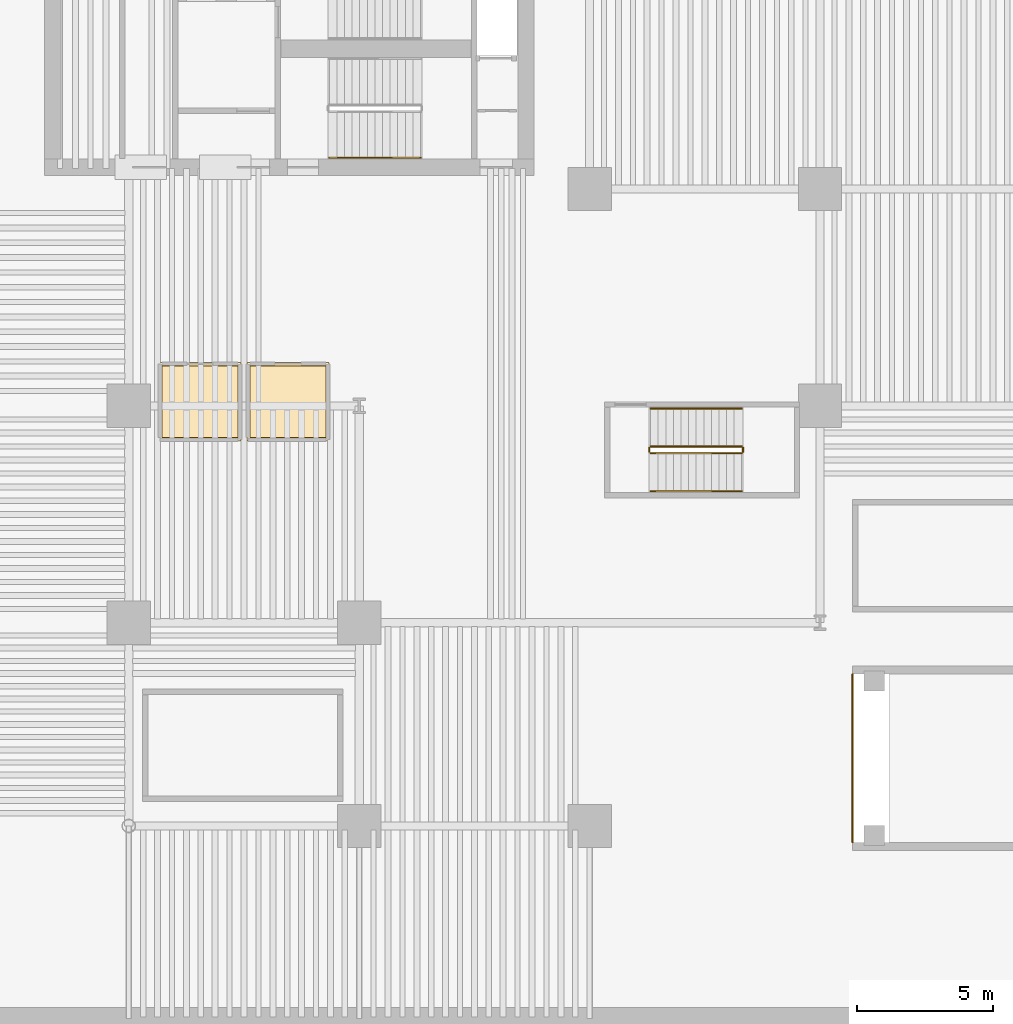
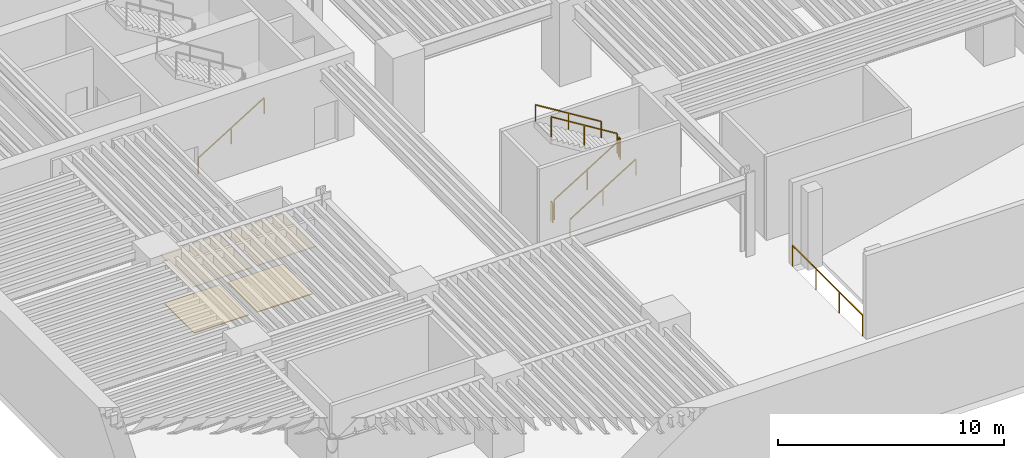
# One storey, part 6 of 9: 8 railings, 4 coverings.
"""IFC4 building model written with IfcOpenShell, lengths in metres."""

from ifc_helpers import new_model, si_unit, direction, frame, origin, origin_2d, place, context, subcontext, project, spatial, polyline, rectangle, outline, extrude, material, layer, layer_set, type_object, element, save


model = new_model("IFC4")

# Units and contexts
model_context = context("Model", 3, precision=1e-05, world=origin(), true_north=direction((0.0, 1.0)))
body_context = subcontext(model_context, "Body", "Model", "MODEL_VIEW")
ifc_project = project(units=[si_unit("LENGTHUNIT", "METRE"), si_unit("AREAUNIT", "SQUARE_METRE"), si_unit("VOLUMEUNIT", "CUBIC_METRE"), si_unit("PLANEANGLEUNIT", "RADIAN"), si_unit("MASSUNIT", "GRAM", prefix="KILO")], contexts=[model_context])

# Site, building, storey
site_placement = place(None, origin())
site = spatial("IfcSite", under=ifc_project, at=site_placement, CompositionType="ELEMENT")
building_placement = place(site_placement, origin())
building = spatial("IfcBuilding", under=site, at=building_placement, Name="Caeloran Harvest Quay", CompositionType="ELEMENT")
storey_placement = place(building_placement, frame((0.0, 0.0, -9.0)))
storey = spatial("IfcBuildingStorey", under=building, at=storey_placement, Name="B02", CompositionType="ELEMENT", Elevation=-9.0)

# Coverings
ifc_material_1 = material(Name="Perforated Mineral-Fibre Acoustic Ceiling Tile", Category="ceiling")
ifc_layer_1 = layer(ifc_material_1, 0.0400390625, Name="Perforated Mineral-Fibre Acoustic Ceiling Tile")
ifc_layer_set_1 = layer_set([ifc_layer_1], Name="Perforated Mineral-Fibre Acoustic Ceiling Tile")
covering_type_1 = type_object("IfcCoveringType", Name="COV-CEILING-ACOUSTIC", PredefinedType="CEILING", material=ifc_layer_set_1)
covering_1_placement = place(storey_placement, frame((0.0, 0.0, 2.60009765625)))
element("IfcCovering", 1, at=covering_1_placement, inside=storey, type_object=covering_type_1, Name="B02 Car Park Male Washroom WC Acoustic Ceiling", PredefinedType="CEILING", context=body_context, shape_type="SweptSolid", body=[
    extrude(outline(polyline([(12.639892578125, 24.590087890625), (12.639892578125, 21.7099609375), (9.610107421875, 21.7099609375), (9.610107421875, 24.590087890625), (12.639892578125, 24.590087890625)])), origin(), (0.0, 0.0, 1.0), 0.039794921875),
])
covering_2_placement = place(storey_placement, frame((0.0, 0.0, 2.60009765625)))
element("IfcCovering", 2, at=covering_2_placement, inside=storey, type_object=covering_type_1, Name="B02 Accessible Unisex Washroom WC Acoustic Ceiling", PredefinedType="CEILING", context=body_context, shape_type="SweptSolid", body=[
    extrude(outline(polyline([(15.889892578125, 24.590087890625), (15.889892578125, 21.7099609375), (12.860107421875, 21.7099609375), (12.860107421875, 24.590087890625), (15.889892578125, 24.590087890625)])), origin(), (0.0, 0.0, 1.0), 0.039794921875),
])
ifc_material_2 = material(Name="Calcium-Sulphate Raised Access Floor and Terrazzo Finish", Category="flooring")
ifc_layer_2 = layer(ifc_material_2, 0.050048828125, Name="Calcium-Sulphate Raised Access Floor and Terrazzo Finish")
ifc_layer_set_2 = layer_set([ifc_layer_2], Name="Calcium-Sulphate Raised Access Floor and Terrazzo Finish")
covering_type_2 = type_object("IfcCoveringType", Name="COV-FLOOR-RAISED", PredefinedType="FLOORING", material=ifc_layer_set_2)
covering_3_placement = place(storey_placement, origin())
element("IfcCovering", 3, at=covering_3_placement, inside=storey, type_object=covering_type_2, Name="B02 Car Park Male Washroom WC Raised Finish Flooring", PredefinedType="FLOORING", context=body_context, shape_type="SweptSolid", body=[
    extrude(outline(polyline([(12.52001953125, 24.469970703125), (12.52001953125, 21.830078125), (9.72998046875, 21.830078125), (9.72998046875, 24.469970703125), (12.52001953125, 24.469970703125)])), origin(), (0.0, 0.0, 1.0), 0.050048828125),
])
covering_4_placement = place(storey_placement, origin())
element("IfcCovering", 4, at=covering_4_placement, inside=storey, type_object=covering_type_2, Name="B02 Accessible Unisex Washroom WC Raised Finish Flooring", PredefinedType="FLOORING", context=body_context, shape_type="SweptSolid", body=[
    extrude(outline(polyline([(15.77001953125, 24.469970703125), (15.77001953125, 21.830078125), (12.97998046875, 21.830078125), (12.97998046875, 24.469970703125), (15.77001953125, 24.469970703125)])), origin(), (0.0, 0.0, 1.0), 0.050048828125),
])

# Railings
ifc_material_3 = material(Name="Powder-Coated Steel Post and Laminated Glass Guardrail", Category="steel")
ifc_layer_3 = layer(ifc_material_3, 0.06005859375, Name="Powder-Coated Steel Post and Laminated Glass Guardrail")
ifc_layer_set_3 = layer_set([ifc_layer_3], Name="Powder-Coated Steel Post and Laminated Glass Guardrail")
railing_type_1 = type_object("IfcRailingType", Name="GUARD-ATRIUM-1150", PredefinedType="GUARDRAIL", material=ifc_layer_set_3)
railing_1_placement = place(storey_placement, frame((35.199951171875, 6.89990234375, 0.0)))
element("IfcRailing", 5, at=railing_1_placement, inside=storey, type_object=railing_type_1, Name="B02 Vehicle Ramp Opening End Guard", PredefinedType="GUARDRAIL", context=body_context, shape_type="SweptSolid", body=[
    extrude(rectangle(XDim=0.048095703125, YDim=0.048095703125, at=origin_2d()), frame((0.0, 0.0, 1.1259765625), z_axis=(0.0, 1.0, 0.0), x_axis=(-1.0, 0.0, 0.0)), (0.0, 0.0, 1.0), 6.2001953125),
    extrude(rectangle(XDim=0.0419921875, YDim=0.0419921875, at=origin_2d()), origin(), (0.0, 0.0, 1.0), 1.101806640625),
    extrude(rectangle(XDim=0.0419921875, YDim=0.0419921875, at=origin_2d()), frame((0.0, 2.066650390625, 0.0)), (0.0, 0.0, 1.0), 1.101806640625),
    extrude(rectangle(XDim=0.0419921875, YDim=0.0419921875, at=origin_2d()), frame((0.0, 4.133544921875, 0.0)), (0.0, 0.0, 1.0), 1.101806640625),
    extrude(rectangle(XDim=0.0419921875, YDim=0.0419921875, at=origin_2d()), frame((0.0, 6.2001953125, 0.0)), (0.0, 0.0, 1.0), 1.101806640625),
])
ifc_material_4 = material(Name="Painted Steel Baluster and Top-Rail Stair Guard", Category="steel")
ifc_layer_4 = layer(ifc_material_4, 0.050048828125, Name="Painted Steel Baluster and Top-Rail Stair Guard")
ifc_layer_set_4 = layer_set([ifc_layer_4], Name="Painted Steel Baluster and Top-Rail Stair Guard")
railing_type_2 = type_object("IfcRailingType", Name="STAIR-GUARD-1100", PredefinedType="GUARDRAIL", material=ifc_layer_set_4)
railing_2_placement = place(storey_placement, frame((27.75, 21.25, 0.173095703125)))
element("IfcRailing", 6, at=railing_2_placement, inside=storey, type_object=railing_type_2, Name="B02 ST-W1 stair guard 1", PredefinedType="GUARDRAIL", context=body_context, shape_type="SweptSolid", body=[
    extrude(rectangle(XDim=0.048095703125, YDim=0.048095703125, at=origin_2d()), frame((0.0, 0.0, 1.076171875), z_axis=(0.850623216509, 0.0, 0.525775754039), x_axis=(0.0, 1.0, 0.0)), (0.0, 0.0, 1.0), 3.9501953125),
    extrude(rectangle(XDim=0.0419921875, YDim=0.0419921875, at=origin_2d()), origin(), (0.0, 0.0, 1.0), 1.052001953125),
    extrude(rectangle(XDim=0.0419921875, YDim=0.0419921875, at=origin_2d()), frame((1.68017578125, 0.0, 1.03857421875)), (0.0, 0.0, 1.0), 1.052001953125),
    extrude(rectangle(XDim=0.0419921875, YDim=0.0419921875, at=origin_2d()), frame((3.360107421875, 0.0, 2.076904296875)), (0.0, 0.0, 1.0), 1.052001953125),
])
railing_3_placement = place(storey_placement, frame((31.159912109375, 21.300048828125, 2.25)))
element("IfcRailing", 7, at=railing_3_placement, inside=storey, type_object=railing_type_2, Name="B02 ST-W1 stair guard 2", PredefinedType="GUARDRAIL", context=body_context, shape_type="SweptSolid", body=[
    extrude(rectangle(XDim=0.048095703125, YDim=0.048095703125, at=origin_2d()), frame((0.0, 0.0, 1.076171875), z_axis=(0.0, 1.0, 0.0), x_axis=(-1.0, 0.0, 0.0)), (0.0, 0.0, 1.0), 0.14990234375),
    extrude(rectangle(XDim=0.0419921875, YDim=0.0419921875, at=origin_2d()), origin(), (0.0, 0.0, 1.0), 1.052001953125),
    extrude(rectangle(XDim=0.0419921875, YDim=0.0419921875, at=origin_2d()), frame((0.0, 0.14990234375, 0.0)), (0.0, 0.0, 1.0), 1.052001953125),
])
railing_4_placement = place(storey_placement, frame((31.110107421875, 21.5, 2.423095703125)))
element("IfcRailing", 8, at=railing_4_placement, inside=storey, type_object=railing_type_2, Name="B02 ST-W1 stair guard 3", PredefinedType="GUARDRAIL", context=body_context, shape_type="SweptSolid", body=[
    extrude(rectangle(XDim=0.048095703125, YDim=0.048095703125, at=origin_2d()), frame((0.0, 0.0, 1.076171875), z_axis=(-0.850623216509, 0.0, 0.525775754039), x_axis=(0.0, -1.0, 0.0)), (0.0, 0.0, 1.0), 3.9501953125),
    extrude(rectangle(XDim=0.0419921875, YDim=0.0419921875, at=origin_2d()), origin(), (0.0, 0.0, 1.0), 1.052001953125),
    extrude(rectangle(XDim=0.0419921875, YDim=0.0419921875, at=origin_2d()), frame((-1.68017578125, 0.0, 1.03857421875)), (0.0, 0.0, 1.0), 1.052001953125),
    extrude(rectangle(XDim=0.0419921875, YDim=0.0419921875, at=origin_2d()), frame((-3.360107421875, 0.0, 2.076904296875)), (0.0, 0.0, 1.0), 1.052001953125),
])
railing_5_placement = place(storey_placement, frame((27.699951171875, 21.300048828125, 0.0)))
element("IfcRailing", 9, at=railing_5_placement, inside=storey, type_object=railing_type_2, Name="B02 ST-W1 stair guard 4", PredefinedType="GUARDRAIL", context=body_context, shape_type="SweptSolid", body=[
    extrude(rectangle(XDim=0.048095703125, YDim=0.048095703125, at=origin_2d()), frame((0.0, 0.0, 1.076171875), z_axis=(0.0, 1.0, 0.0), x_axis=(-1.0, 0.0, 0.0)), (0.0, 0.0, 1.0), 0.14990234375),
    extrude(rectangle(XDim=0.0419921875, YDim=0.0419921875, at=origin_2d()), origin(), (0.0, 0.0, 1.0), 1.052001953125),
    extrude(rectangle(XDim=0.0419921875, YDim=0.0419921875, at=origin_2d()), frame((0.0, 0.14990234375, 0.0)), (0.0, 0.0, 1.0), 1.052001953125),
])
ifc_material_5 = material(Name="Brushed Stainless Steel Grade 304", Category="steel")
ifc_layer_5 = layer(ifc_material_5, 0.050048828125, Name="Brushed Stainless Steel Grade 304")
ifc_layer_set_5 = layer_set([ifc_layer_5], Name="Brushed Stainless Steel Grade 304")
railing_type_3 = type_object("IfcRailingType", Name="STAIR-HANDRAIL-900", PredefinedType="HANDRAIL", material=ifc_layer_set_5)
for number, where, name in (
    (10, (15.89990234375, 32.14990234375, 0.173095703125), "B02 ST-C2 stair handrail 1"),
    (11, (27.75, 19.85009765625, 0.173095703125), "B02 ST-W1 stair handrail 1"),
):
    element("IfcRailing", number, at=place(storey_placement, frame(where)), inside=storey, type_object=railing_type_3, Name=name, PredefinedType="HANDRAIL", context=body_context, shape_type="SweptSolid", body=[
        extrude(rectangle(XDim=0.048095703125, YDim=0.048095703125, at=origin_2d()), frame((0.0, 0.0, 0.8759765625), z_axis=(0.850623216509, 0.0, 0.525775754039), x_axis=(0.0, 1.0, 0.0)), (0.0, 0.0, 1.0), 3.9501953125),
        extrude(rectangle(XDim=0.0419921875, YDim=0.0419921875, at=origin_2d()), origin(), (0.0, 0.0, 1.0), 0.851806640625),
        extrude(rectangle(XDim=0.0419921875, YDim=0.0419921875, at=origin_2d()), frame((1.68017578125, 0.0, 1.03857421875)), (0.0, 0.0, 1.0), 0.851806640625),
        extrude(rectangle(XDim=0.0419921875, YDim=0.0419921875, at=origin_2d()), frame((3.360107421875, 0.0, 2.076904296875)), (0.0, 0.0, 1.0), 0.851806640625),
    ])
railing_6_placement = place(storey_placement, frame((31.110107421875, 22.89990234375, 2.423095703125)))
element("IfcRailing", 12, at=railing_6_placement, inside=storey, type_object=railing_type_3, Name="B02 ST-W1 stair handrail 2", PredefinedType="HANDRAIL", context=body_context, shape_type="SweptSolid", body=[
    extrude(rectangle(XDim=0.048095703125, YDim=0.048095703125, at=origin_2d()), frame((0.0, 0.0, 0.8759765625), z_axis=(-0.850623216509, 0.0, 0.525775754039), x_axis=(0.0, -1.0, 0.0)), (0.0, 0.0, 1.0), 3.9501953125),
    extrude(rectangle(XDim=0.0419921875, YDim=0.0419921875, at=origin_2d()), origin(), (0.0, 0.0, 1.0), 0.851806640625),
    extrude(rectangle(XDim=0.0419921875, YDim=0.0419921875, at=origin_2d()), frame((-1.68017578125, 0.0, 1.03857421875)), (0.0, 0.0, 1.0), 0.851806640625),
    extrude(rectangle(XDim=0.0419921875, YDim=0.0419921875, at=origin_2d()), frame((-3.360107421875, 0.0, 2.076904296875)), (0.0, 0.0, 1.0), 0.851806640625),
])

save(model, "model.ifc")
